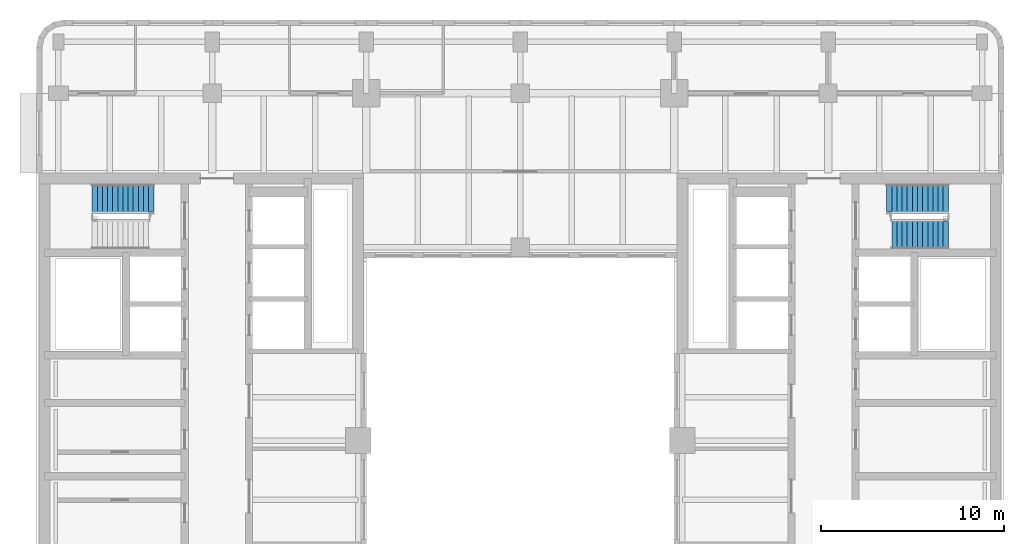
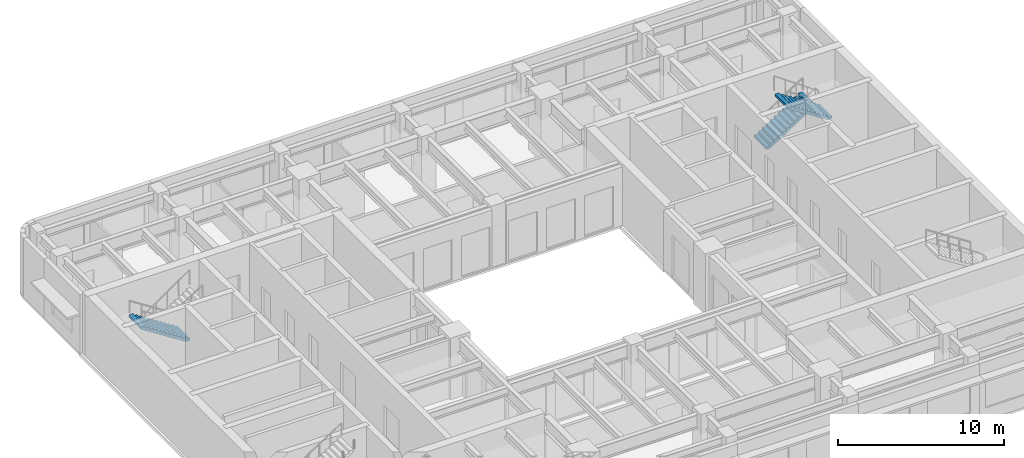
# One storey, part 8 of 13: 3 stair flights, 2 elements without a shape of their own.
"""IFC4 building model written with IfcOpenShell, lengths in metres."""

from ifc_helpers import new_model, si_unit, direction, frame, origin, place, context, subcontext, project, spatial, polyline, outline, extrude, material, type_object, element, aggregate, save


model = new_model("IFC4")

# Units and contexts
model_context = context("Model", 3, precision=1e-05, world=origin(), true_north=direction((0.0, 1.0)))
body_context = subcontext(model_context, "Body", "Model", "MODEL_VIEW")
ifc_project = project(units=[si_unit("LENGTHUNIT", "METRE"), si_unit("AREAUNIT", "SQUARE_METRE"), si_unit("VOLUMEUNIT", "CUBIC_METRE"), si_unit("PLANEANGLEUNIT", "RADIAN"), si_unit("MASSUNIT", "GRAM", prefix="KILO")], contexts=[model_context])

# Site, building, storey
site_placement = place(None, origin())
site = spatial("IfcSite", under=ifc_project, at=site_placement, CompositionType="ELEMENT")
building_placement = place(site_placement, origin())
building = spatial("IfcBuilding", under=site, at=building_placement, Name="Claustro Exchange Tower", CompositionType="ELEMENT")
storey_placement = place(building_placement, frame((0.0, 0.0, 277.199951171875)))
storey = spatial("IfcBuildingStorey", under=building, at=storey_placement, Name="L63", CompositionType="ELEMENT", Elevation=277.199951171875)

# Stair, stair flight
ifc_material_1 = material(Name="Concrete HA-30 (C30/37), precast", Category="concrete")
stair_type = type_object("IfcStairType", Name="ST2 half-turn stair, 25 risers of 180", PredefinedType="HALF_TURN_STAIR", material=ifc_material_1)
stair_1_placement = place(storey_placement, origin())
stair_1 = element("IfcStair", 1, at=stair_1_placement, inside=storey, type_object=stair_type, Name="Stair STEB L63", PredefinedType="HALF_TURN_STAIR")
ifc_material_2 = material(Name="Concrete HA-30 (C30/37), precast", Category="concrete")
stair_flight_type_1 = type_object("IfcStairFlightType", Name="SF12B straight flight, 12 risers of 180, 1500 wide", PredefinedType="STRAIGHT", material=ifc_material_2)
stair_flight_1_placement = place(storey_placement, frame((48.56005859375, 34.25, 2.340087890625), z_axis=(0.0, 0.0, 1.0), x_axis=(-1.0, 0.0, 0.0)))
stair_flight_1 = element("IfcStairFlight", 2, at=stair_flight_1_placement, type_object=stair_flight_type_1, Name="STEB flight 2", NumberOfRisers=12, NumberOfTreads=11, PredefinedType="STRAIGHT", RiserHeight=0.18, TreadLength=0.28, context=body_context, shape_type="SweptSolid", body=[
    extrude(outline(polyline([(0.0, 0.0), (0.0, 0.179931640625), (0.280029296875, 0.179931640625), (0.280029296875, 0.360107421875), (0.56005859375, 0.360107421875), (0.56005859375, 0.5400390625), (0.840087890625, 0.5400390625), (0.840087890625, 0.719970703125), (1.1201171875, 0.719970703125), (1.1201171875, 0.89990234375), (1.39990234375, 0.89990234375), (1.39990234375, 1.080078125), (1.679931640625, 1.080078125), (1.679931640625, 1.260009765625), (1.9599609375, 1.260009765625), (1.9599609375, 1.43994140625), (2.239990234375, 1.43994140625), (2.239990234375, 1.6201171875), (2.52001953125, 1.6201171875), (2.52001953125, 1.800048828125), (2.800048828125, 1.800048828125), (2.800048828125, 1.97998046875), (3.080078125, 1.97998046875), (3.080078125, 2.159912109375), (3.080078125, 1.8017578125), (0.277099609375, 0.0), (0.0, 0.0)])), frame((0.0, 0.75, 0.0), z_axis=(0.0, -1.0, 0.0), x_axis=(1.0, 0.0, 0.0)), (0.0, 0.0, 1.0), 1.5),
])

stair_2_placement = place(storey_placement, origin())
stair_2 = element("IfcStair", 3, at=stair_2_placement, inside=storey, type_object=stair_type, Name="Stair STWB L63", PredefinedType="HALF_TURN_STAIR")
ifc_material_3 = material(Name="Concrete HA-30 (C30/37), precast", Category="concrete")
stair_flight_type_2 = type_object("IfcStairFlightType", Name="SF13 straight flight, 13 risers of 180, 1500 wide", PredefinedType="STRAIGHT", material=ifc_material_3)
stair_flight_2_placement = place(storey_placement, frame((5.199951171875, 36.300048828125, 0.0), z_axis=(0.0, 0.0, 1.0), x_axis=(-1.0, 0.0, 0.0)))
stair_flight_2 = element("IfcStairFlight", 4, at=stair_flight_2_placement, type_object=stair_flight_type_2, Name="STWB flight 1", NumberOfRisers=13, NumberOfTreads=12, PredefinedType="STRAIGHT", RiserHeight=0.18, TreadLength=0.28, context=body_context, shape_type="SweptSolid", body=[
    extrude(outline(polyline([(0.0, 0.0), (0.0, 0.179931640625), (0.280029296875, 0.179931640625), (0.280029296875, 0.360107421875), (0.56005859375, 0.360107421875), (0.56005859375, 0.5400390625), (0.840087890625, 0.5400390625), (0.840087890625, 0.719970703125), (1.1201171875, 0.719970703125), (1.1201171875, 0.89990234375), (1.39990234375, 0.89990234375), (1.39990234375, 1.080078125), (1.679931640625, 1.080078125), (1.679931640625, 1.260009765625), (1.9599609375, 1.260009765625), (1.9599609375, 1.43994140625), (2.239990234375, 1.43994140625), (2.239990234375, 1.6201171875), (2.52001953125, 1.6201171875), (2.52001953125, 1.800048828125), (2.800048828125, 1.800048828125), (2.800048828125, 1.97998046875), (3.080078125, 1.97998046875), (3.080078125, 2.159912109375), (3.360107421875, 2.159912109375), (3.360107421875, 2.340087890625), (3.360107421875, 1.981689453125), (0.277099609375, 0.0), (0.0, 0.0)])), frame((0.0, 0.75, 0.0), z_axis=(0.0, -1.0, 0.0), x_axis=(1.0, 0.0, 0.0)), (0.0, 0.0, 1.0), 1.5),
])
aggregate(stair_2, [stair_flight_2])

# Stair flight
stair_flight_3_placement = place(storey_placement, frame((45.199951171875, 36.300048828125, 0.0), z_axis=(0.0, 0.0, 1.0), x_axis=(1.0, 0.0, 0.0)))
stair_flight_3 = element("IfcStairFlight", 5, at=stair_flight_3_placement, type_object=stair_flight_type_2, Name="STEB flight 1", NumberOfRisers=13, NumberOfTreads=12, PredefinedType="STRAIGHT", RiserHeight=0.18, TreadLength=0.28, context=body_context, shape_type="SweptSolid", body=[
    extrude(outline(polyline([(0.0, 0.0), (0.0, 0.179931640625), (0.280029296875, 0.179931640625), (0.280029296875, 0.360107421875), (0.56005859375, 0.360107421875), (0.56005859375, 0.5400390625), (0.840087890625, 0.5400390625), (0.840087890625, 0.719970703125), (1.1201171875, 0.719970703125), (1.1201171875, 0.89990234375), (1.39990234375, 0.89990234375), (1.39990234375, 1.080078125), (1.679931640625, 1.080078125), (1.679931640625, 1.260009765625), (1.9599609375, 1.260009765625), (1.9599609375, 1.43994140625), (2.239990234375, 1.43994140625), (2.239990234375, 1.6201171875), (2.52001953125, 1.6201171875), (2.52001953125, 1.800048828125), (2.800048828125, 1.800048828125), (2.800048828125, 1.97998046875), (3.080078125, 1.97998046875), (3.080078125, 2.159912109375), (3.360107421875, 2.159912109375), (3.360107421875, 2.340087890625), (3.360107421875, 1.981689453125), (0.277099609375, 0.0), (0.0, 0.0)])), frame((0.0, 0.75, 0.0), z_axis=(0.0, -1.0, 0.0), x_axis=(1.0, 0.0, 0.0)), (0.0, 0.0, 1.0), 1.5),
])

aggregate(stair_1, [stair_flight_3, stair_flight_1])

save(model, "model.ifc")
